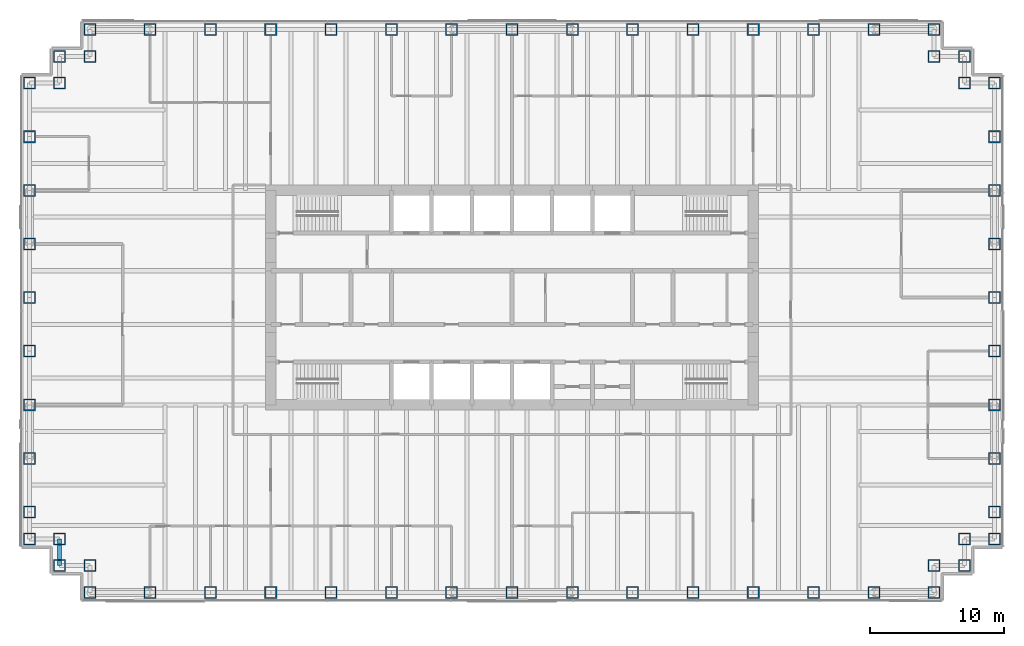
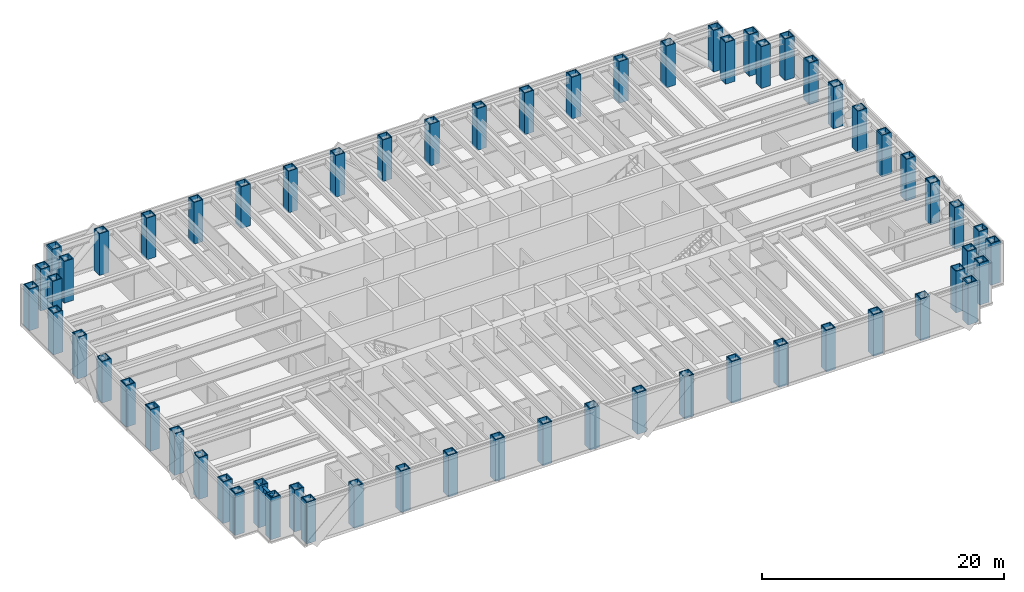
# One storey, part 1 of 18: 62 columns, 1 beam.
"""IFC4 building model written with IfcOpenShell, lengths in metres."""

from ifc_helpers import new_model, si_unit, direction, frame, origin, origin_2d, place, context, subcontext, project, spatial, hollow_rectangle, i_section, extrude, material, material_profile, profile_set, type_object, element, save


model = new_model("IFC4")

# Units and contexts
model_context = context("Model", 3, precision=1e-05, world=origin(), true_north=direction((0.0, 1.0)))
body_context = subcontext(model_context, "Body", "Model", "MODEL_VIEW")
ifc_project = project(units=[si_unit("LENGTHUNIT", "METRE"), si_unit("AREAUNIT", "SQUARE_METRE"), si_unit("VOLUMEUNIT", "CUBIC_METRE"), si_unit("PLANEANGLEUNIT", "RADIAN"), si_unit("MASSUNIT", "GRAM", prefix="KILO")], contexts=[model_context])

# Site, building, storey
site_placement = place(None, origin())
site = spatial("IfcSite", under=ifc_project, at=site_placement, CompositionType="ELEMENT")
building_placement = place(site_placement, origin())
building = spatial("IfcBuilding", under=site, at=building_placement, Name="Rheinbord Bourse Tower", CompositionType="ELEMENT")
storey_placement = place(building_placement, frame((0.0, 0.0, 244.60009765625)))
storey = spatial("IfcBuildingStorey", under=building, at=storey_placement, Name="L55", CompositionType="ELEMENT", Elevation=244.60009765625)

# Columns
ifc_material_1 = material(Name="Steel S460M", Category="steel")
ifc_material_profile_1 = material_profile(ifc_material_1, hollow_rectangle(XDim=0.89990234375, YDim=0.89990234375, WallThickness=0.080078125, at=origin_2d()), Name="BOX 900x900x80")
ifc_profile_set_1 = profile_set([ifc_material_profile_1], Name="Steel S460M")
column_type = type_object("IfcColumnType", Name="TUBE COLUMN BOX 900x900x80", PredefinedType="COLUMN", material=ifc_profile_set_1)
for number, where, z_axis, x_axis, name in (
    (1, (4.5, 2.0, 0.0), (0.0, 0.0, 1.0), (0.0, 1.0, 0.0), "Column SW-E L55"),
    (2, (9.0, 2.0, 0.0), (0.0, 0.0, 1.0), (0.0, 1.0, 0.0), "Column S-9 L55"),
    (3, (13.5, 2.0, 0.0), (0.0, 0.0, 1.0), (0.0, 1.0, 0.0), "Column S-13.5 L55"),
    (4, (18.0, 2.0, 0.0), (0.0, 0.0, 1.0), (0.0, 1.0, 0.0), "Column S-18 L55"),
    (5, (22.5, 2.0, 0.0), (0.0, 0.0, 1.0), (0.0, 1.0, 0.0), "Column S-22.5 L55"),
    (6, (27.0, 2.0, 0.0), (0.0, 0.0, 1.0), (0.0, 1.0, 0.0), "Column S-27 L55"),
    (7, (31.5, 2.0, 0.0), (0.0, 0.0, 1.0), (0.0, 1.0, 0.0), "Column S-31.5 L55"),
    (8, (36.0, 2.0, 0.0), (0.0, 0.0, 1.0), (0.0, 1.0, 0.0), "Column S-36 L55"),
    (9, (40.5, 2.0, 0.0), (0.0, 0.0, 1.0), (0.0, 1.0, 0.0), "Column S-40.5 L55"),
    (10, (45.0, 2.0, 0.0), (0.0, 0.0, 1.0), (0.0, 1.0, 0.0), "Column S-45 L55"),
    (11, (49.5, 2.0, 0.0), (0.0, 0.0, 1.0), (0.0, 1.0, 0.0), "Column S-49.5 L55"),
    (12, (54.0, 2.0, 0.0), (0.0, 0.0, 1.0), (0.0, 1.0, 0.0), "Column S-54 L55"),
    (13, (58.5, 2.0, 0.0), (0.0, 0.0, 1.0), (0.0, 1.0, 0.0), "Column S-58.5 L55"),
    (14, (63.0, 2.0, 0.0), (0.0, 0.0, 1.0), (0.0, 1.0, 0.0), "Column S-63 L55"),
    (15, (67.5, 2.0, 0.0), (0.0, 0.0, 1.0), (0.0, 1.0, 0.0), "Column SE-E L55"),
    (16, (67.5, 4.0, 0.0), (0.0, 0.0, 1.0), (0.0, 1.0, 0.0), "Column SE-D L55"),
    (17, (69.75, 4.0, 0.0), (0.0, 0.0, 1.0), (1.0, 0.0, 0.0), "Column SE-C L55"),
    (18, (69.75, 6.0, 0.0), (0.0, 0.0, 1.0), (1.0, 0.0, 0.0), "Column SE-B L55"),
    (19, (72.0, 6.0, 0.0), (0.0, 0.0, 1.0), (1.0, 0.0, 0.0), "Column SE-A L55"),
    (20, (72.0, 8.0, 0.0), (0.0, 0.0, 1.0), (1.0, 0.0, 0.0), "Column E-8 L55"),
    (21, (72.0, 12.0, 0.0), (0.0, 0.0, 1.0), (1.0, 0.0, 0.0), "Column E-12 L55"),
    (22, (72.0, 16.0, 0.0), (0.0, 0.0, 1.0), (1.0, 0.0, 0.0), "Column E-16 L55"),
    (23, (72.0, 20.0, 0.0), (0.0, 0.0, 1.0), (1.0, 0.0, 0.0), "Column E-20 L55"),
    (24, (72.0, 24.0, 0.0), (0.0, 0.0, 1.0), (1.0, 0.0, 0.0), "Column E-24 L55"),
    (25, (72.0, 28.0, 0.0), (0.0, 0.0, 1.0), (1.0, 0.0, 0.0), "Column E-28 L55"),
    (26, (72.0, 32.0, 0.0), (0.0, 0.0, 1.0), (1.0, 0.0, 0.0), "Column E-32 L55"),
    (27, (72.0, 36.0, 0.0), (0.0, 0.0, 1.0), (1.0, 0.0, 0.0), "Column E-36 L55"),
    (28, (72.0, 40.0, 0.0), (0.0, 0.0, 1.0), (1.0, 0.0, 0.0), "Column NE-A L55"),
    (29, (69.75, 40.0, 0.0), (0.0, 0.0, 1.0), (1.0, 0.0, 0.0), "Column NE-B L55"),
    (30, (69.75, 42.0, 0.0), (0.0, 0.0, 1.0), (1.0, 0.0, 0.0), "Column NE-C L55"),
    (31, (67.5, 42.0, 0.0), (0.0, 0.0, 1.0), (0.0, 1.0, 0.0), "Column NE-D L55"),
    (32, (67.5, 44.0, 0.0), (0.0, 0.0, 1.0), (0.0, 1.0, 0.0), "Column NE-E L55"),
    (33, (63.0, 44.0, 0.0), (0.0, 0.0, 1.0), (0.0, 1.0, 0.0), "Column N-63 L55"),
    (34, (58.5, 44.0, 0.0), (0.0, 0.0, 1.0), (0.0, 1.0, 0.0), "Column N-58.5 L55"),
    (35, (54.0, 44.0, 0.0), (0.0, 0.0, 1.0), (0.0, 1.0, 0.0), "Column N-54 L55"),
    (36, (49.5, 44.0, 0.0), (0.0, 0.0, 1.0), (0.0, 1.0, 0.0), "Column N-49.5 L55"),
    (37, (45.0, 44.0, 0.0), (0.0, 0.0, 1.0), (0.0, 1.0, 0.0), "Column N-45 L55"),
    (38, (40.5, 44.0, 0.0), (0.0, 0.0, 1.0), (0.0, 1.0, 0.0), "Column N-40.5 L55"),
    (39, (36.0, 44.0, 0.0), (0.0, 0.0, 1.0), (0.0, 1.0, 0.0), "Column N-36 L55"),
    (40, (31.5, 44.0, 0.0), (0.0, 0.0, 1.0), (0.0, 1.0, 0.0), "Column N-31.5 L55"),
    (41, (27.0, 44.0, 0.0), (0.0, 0.0, 1.0), (0.0, 1.0, 0.0), "Column N-27 L55"),
    (42, (22.5, 44.0, 0.0), (0.0, 0.0, 1.0), (0.0, 1.0, 0.0), "Column N-22.5 L55"),
    (43, (18.0, 44.0, 0.0), (0.0, 0.0, 1.0), (0.0, 1.0, 0.0), "Column N-18 L55"),
    (44, (13.5, 44.0, 0.0), (0.0, 0.0, 1.0), (0.0, 1.0, 0.0), "Column N-13.5 L55"),
    (45, (9.0, 44.0, 0.0), (0.0, 0.0, 1.0), (0.0, 1.0, 0.0), "Column N-9 L55"),
    (46, (4.5, 44.0, 0.0), (0.0, 0.0, 1.0), (0.0, 1.0, 0.0), "Column NW-E L55"),
    (47, (4.5, 42.0, 0.0), (0.0, 0.0, 1.0), (0.0, 1.0, 0.0), "Column NW-D L55"),
    (48, (2.25, 42.0, 0.0), (0.0, 0.0, 1.0), (1.0, 0.0, 0.0), "Column NW-C L55"),
    (49, (2.25, 40.0, 0.0), (0.0, 0.0, 1.0), (1.0, 0.0, 0.0), "Column NW-B L55"),
    (50, (0.0, 40.0, 0.0), (0.0, 0.0, 1.0), (1.0, 0.0, 0.0), "Column NW-A L55"),
    (51, (0.0, 36.0, 0.0), (0.0, 0.0, 1.0), (1.0, 0.0, 0.0), "Column W-36 L55"),
    (52, (0.0, 32.0, 0.0), (0.0, 0.0, 1.0), (1.0, 0.0, 0.0), "Column W-32 L55"),
    (53, (0.0, 28.0, 0.0), (0.0, 0.0, 1.0), (1.0, 0.0, 0.0), "Column W-28 L55"),
    (54, (0.0, 24.0, 0.0), (0.0, 0.0, 1.0), (1.0, 0.0, 0.0), "Column W-24 L55"),
    (55, (0.0, 20.0, 0.0), (0.0, 0.0, 1.0), (1.0, 0.0, 0.0), "Column W-20 L55"),
    (56, (0.0, 16.0, 0.0), (0.0, 0.0, 1.0), (1.0, 0.0, 0.0), "Column W-16 L55"),
    (57, (0.0, 12.0, 0.0), (0.0, 0.0, 1.0), (1.0, 0.0, 0.0), "Column W-12 L55"),
    (58, (0.0, 8.0, 0.0), (0.0, 0.0, 1.0), (1.0, 0.0, 0.0), "Column W-8 L55"),
    (59, (0.0, 6.0, 0.0), (0.0, 0.0, 1.0), (1.0, 0.0, 0.0), "Column SW-A L55"),
    (60, (2.25, 6.0, 0.0), (0.0, 0.0, 1.0), (1.0, 0.0, 0.0), "Column SW-B L55"),
    (61, (2.25, 4.0, 0.0), (0.0, 0.0, 1.0), (1.0, 0.0, 0.0), "Column SW-C L55"),
    (62, (4.5, 4.0, 0.0), (0.0, 0.0, 1.0), (0.0, 1.0, 0.0), "Column SW-D L55"),
):
    element("IfcColumn", number, at=place(storey_placement, frame(where, z_axis=z_axis, x_axis=x_axis)), inside=storey, type_object=column_type, Name=name, PredefinedType="COLUMN", context=body_context, shape_type="SweptSolid", body=[
        extrude(hollow_rectangle(XDim=0.89990234375, YDim=0.89990234375, WallThickness=0.080078125, at=origin_2d()), origin(), (0.0, 0.0, 1.0), 4.199951171875),
    ])

# Beam
ifc_material_2 = material(Name="Steel S460", Category="steel")
ifc_material_profile_2 = material_profile(ifc_material_2, i_section(OverallWidth=0.300048828125, OverallDepth=0.60009765625, WebThickness=0.015380859375, FlangeThickness=0.030029296875, at=origin_2d()), Name="HEB 600")
ifc_profile_set_2 = profile_set([ifc_material_profile_2], Name="Steel S460")
beam_type = type_object("IfcBeamType", Name="SPANDREL HEB 600", PredefinedType="SPANDREL", material=ifc_profile_set_2)
beam_placement = place(storey_placement, frame((2.25, 6.0, 3.739990234375), z_axis=(0.0, -1.0, 0.0), x_axis=(1.0, 0.0, 0.0)))
element("IfcBeam", 63, at=beam_placement, inside=storey, type_object=beam_type, Name="Spandrel SW-B-SW-C under L56", PredefinedType="SPANDREL", context=body_context, shape_type="SweptSolid", body=[
    extrude(i_section(OverallWidth=0.300048828125, OverallDepth=0.60009765625, WebThickness=0.015380859375, FlangeThickness=0.030029296875, at=origin_2d()), origin(), (0.0, 0.0, 1.0), 2.0),
])

save(model, "model.ifc")
